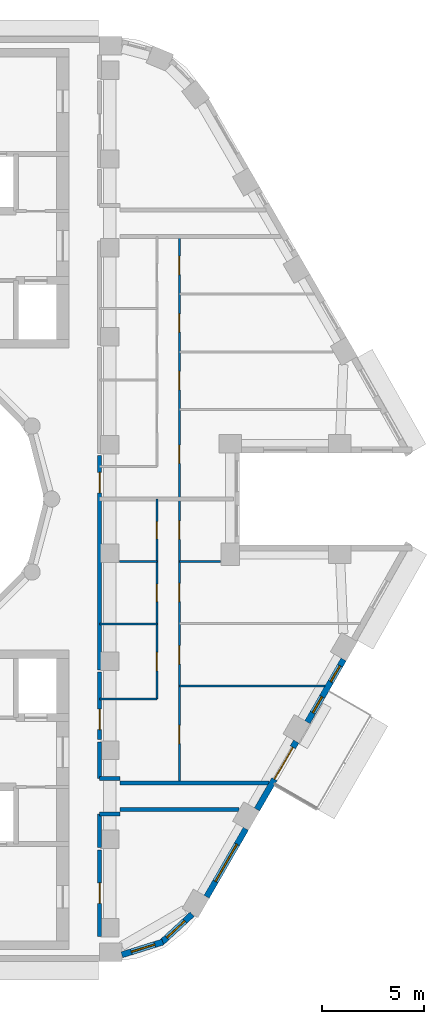
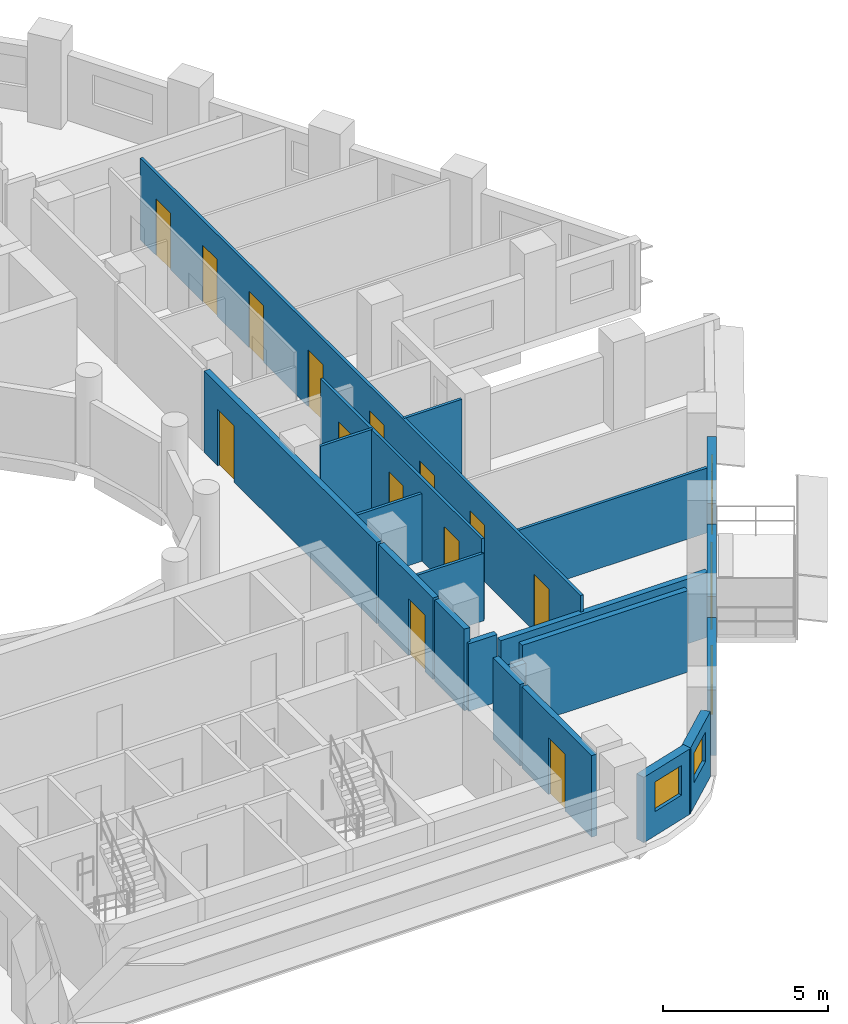
# One storey, part 5 of 12: 21 walls, 15 doors, 5 windows, 20 openings.
"""IFC4 building model written with IfcOpenShell, lengths in metres."""

from ifc_helpers import new_model, si_unit, direction, frame, frame_2d, origin, place, context, subcontext, project, spatial, rectangle, extrude, material, layer, layer_set, type_object, element, fill, save


model = new_model("IFC4")

# Units and contexts
model_context = context("Model", 3, precision=1e-05, world=origin(), true_north=direction((0.0, 1.0)))
body_context = subcontext(model_context, "Body", "Model", "MODEL_VIEW")
ifc_project = project(units=[si_unit("LENGTHUNIT", "METRE"), si_unit("AREAUNIT", "SQUARE_METRE"), si_unit("VOLUMEUNIT", "CUBIC_METRE"), si_unit("PLANEANGLEUNIT", "RADIAN"), si_unit("MASSUNIT", "GRAM", prefix="KILO")], contexts=[model_context])

# Site, building, storey
site_placement = place(None, origin())
site = spatial("IfcSite", under=ifc_project, at=site_placement, CompositionType="ELEMENT")
building_placement = place(site_placement, origin())
building = spatial("IfcBuilding", under=site, at=building_placement, Name="Nakaniwa Court", CompositionType="ELEMENT")
storey_placement = place(building_placement, frame((0.0, 0.0, 232.800048828125)))
storey = spatial("IfcBuildingStorey", under=building, at=storey_placement, Name="L60", CompositionType="ELEMENT", Elevation=232.800048828125)

# Wall, opening, door
ifc_material_1 = material(Name="Acoustic double stud partition")
ifc_layer_1 = layer(ifc_material_1, 0.199951171875)
ifc_layer_set_1 = layer_set([ifc_layer_1], Name="Acoustic double stud partition")
wall_type_1 = type_object("IfcWallType", Name="Acoustic double stud partition 200", PredefinedType="PARTITIONING", material=ifc_layer_set_1)
wall_1_placement = place(storey_placement, frame((89.5, 62.822998046875, 0.0), z_axis=(0.0, 0.0, 1.0), x_axis=(0.0, -1.0, 0.0)))
wall_1 = element("IfcWall", 1, at=wall_1_placement, inside=storey, type_object=wall_type_1, Name="Partition PW-057", PredefinedType="PARTITIONING", context=body_context, shape_type="SweptSolid", body=[
    extrude(rectangle(XDim=4.236083984375, YDim=0.199951171875, at=frame_2d((2.1181640625, 0.0))), origin(), (0.0, 0.0, 1.0), 3.02490234375),
])
opening_1_placement = place(wall_1_placement, frame((1.617919921875, 0.0, 0.0)))
opening_1 = element("IfcOpeningElement", 2, at=opening_1_placement, cuts=wall_1, Name="Opening D-02-01", PredefinedType="OPENING", context=body_context, shape_type="SweptSolid", body=[
    extrude(rectangle(XDim=1.0, YDim=2.10009765625, at=frame_2d((0.5, 1.050048828125))), frame((0.0, 0.10986328125, 0.0), z_axis=(0.0, -1.0, 0.0), x_axis=(1.0, 0.0, 0.0)), (0.0, 0.0, 1.0), 0.219970703125),
])
ifc_material_2 = material(Name="Solid core timber door set, black veneer", Category="wood")
door_type_1 = type_object("IfcDoorType", Name="Internal door 1000", OperationType="NOTDEFINED", PredefinedType="DOOR", material=ifc_material_2)
door_1_placement = place(opening_1_placement, origin())
door_1 = element("IfcDoor", 3, at=door_1_placement, inside=storey, type_object=door_type_1, Name="Door D-02-01 L60-029", OperationType="SINGLE_SWING_RIGHT", OverallHeight=2.10009765625, OverallWidth=1.0, PredefinedType="DOOR", context=body_context, shape_type="SweptSolid", body=[
    extrude(rectangle(XDim=1.0, YDim=2.10009765625, at=frame_2d((0.5, 1.050048828125))), frame((0.0, 0.02490234375, 0.0), z_axis=(0.0, -1.0, 0.0), x_axis=(1.0, 0.0, 0.0)), (0.0, 0.0, 1.0), 0.050048828125),
])
fill(opening_1, door_1)

# Walls
wall_2_placement = place(storey_placement, frame((89.5, 62.93701171875, 0.0), z_axis=(0.0, 0.0, 1.0), x_axis=(0.0, 1.0, 0.0)))
element("IfcWall", 4, at=wall_2_placement, inside=storey, type_object=wall_type_1, Name="Partition PW-058", PredefinedType="PARTITIONING", context=body_context, shape_type="SweptSolid", body=[
    extrude(rectangle(XDim=1.640869140625, YDim=0.199951171875, at=frame_2d((0.8203125, 0.0))), origin(), (0.0, 0.0, 1.0), 3.02490234375),
])
wall_3_placement = place(storey_placement, frame((89.5, 66.322021484375, 0.0), z_axis=(0.0, 0.0, 1.0), x_axis=(0.0, 1.0, 0.0)))
element("IfcWall", 5, at=wall_3_placement, inside=storey, type_object=wall_type_1, Name="Partition PW-059", PredefinedType="PARTITIONING", context=body_context, shape_type="SweptSolid", body=[
    extrude(rectangle(XDim=1.791015625, YDim=0.199951171875, at=frame_2d((0.8955078125, 0.0))), origin(), (0.0, 0.0, 1.0), 3.02490234375),
])

# Wall, opening, door
wall_4_placement = place(storey_placement, frame((89.5, 71.52294921875, 0.0), z_axis=(0.0, 0.0, 1.0), x_axis=(0.0, -1.0, 0.0)))
wall_4 = element("IfcWall", 6, at=wall_4_placement, inside=storey, type_object=wall_type_1, Name="Partition PW-060", PredefinedType="PARTITIONING", context=body_context, shape_type="SweptSolid", body=[
    extrude(rectangle(XDim=3.2958984375, YDim=0.199951171875, at=frame_2d((1.64794921875, 0.0))), origin(), (0.0, 0.0, 1.0), 3.02490234375),
])
opening_2_placement = place(wall_4_placement, frame((1.80810546875, 0.0, 0.0)))
opening_2 = element("IfcOpeningElement", 7, at=opening_2_placement, cuts=wall_4, Name="Opening D-01-01", PredefinedType="OPENING", context=body_context, shape_type="SweptSolid", body=[
    extrude(rectangle(XDim=1.0, YDim=2.10009765625, at=frame_2d((0.5, 1.050048828125))), frame((0.0, 0.10986328125, 0.0), z_axis=(0.0, -1.0, 0.0), x_axis=(1.0, 0.0, 0.0)), (0.0, 0.0, 1.0), 0.219970703125),
])
door_type_2 = type_object("IfcDoorType", Name="Flat entrance door 1000", OperationType="NOTDEFINED", PredefinedType="DOOR", material=ifc_material_2)
door_2_placement = place(opening_2_placement, origin())
door_2 = element("IfcDoor", 8, at=door_2_placement, inside=storey, type_object=door_type_2, Name="Door D-01-01 L60-030", OperationType="SINGLE_SWING_LEFT", OverallHeight=2.10009765625, OverallWidth=1.0, PredefinedType="DOOR", context=body_context, shape_type="SweptSolid", body=[
    extrude(rectangle(XDim=1.0, YDim=2.10009765625, at=frame_2d((0.5, 1.050048828125))), frame((0.0, 0.02490234375, 0.0), z_axis=(0.0, -1.0, 0.0), x_axis=(1.0, 0.0, 0.0)), (0.0, 0.0, 1.0), 0.050048828125),
])
fill(opening_2, door_2)

wall_5_placement = place(storey_placement, frame((89.5, 82.123046875, 0.0), z_axis=(0.0, 0.0, 1.0), x_axis=(0.0, -1.0, 0.0)))
wall_5 = element("IfcWall", 9, at=wall_5_placement, inside=storey, type_object=wall_type_1, Name="Partition PW-061", PredefinedType="PARTITIONING", context=body_context, shape_type="SweptSolid", body=[
    extrude(rectangle(XDim=10.486083984375, YDim=0.199951171875, at=frame_2d((5.2431640625, 0.0))), origin(), (0.0, 0.0, 1.0), 3.02490234375),
])
opening_3_placement = place(wall_5_placement, frame((0.822998046875, 0.0, 0.0)))
opening_3 = element("IfcOpeningElement", 10, at=opening_3_placement, cuts=wall_5, Name="Opening D-01-02", PredefinedType="OPENING", context=body_context, shape_type="SweptSolid", body=[
    extrude(rectangle(XDim=1.0, YDim=2.10009765625, at=frame_2d((0.5, 1.050048828125))), frame((0.0, 0.10986328125, 0.0), z_axis=(0.0, -1.0, 0.0), x_axis=(1.0, 0.0, 0.0)), (0.0, 0.0, 1.0), 0.219970703125),
])
door_3_placement = place(opening_3_placement, origin())
door_3 = element("IfcDoor", 11, at=door_3_placement, inside=storey, type_object=door_type_2, Name="Door D-01-02 L60-038", OperationType="SINGLE_SWING_LEFT", OverallHeight=2.10009765625, OverallWidth=1.0, PredefinedType="DOOR", context=body_context, shape_type="SweptSolid", body=[
    extrude(rectangle(XDim=1.0, YDim=2.10009765625, at=frame_2d((0.5, 1.050048828125))), frame((0.0, 0.02490234375, 0.0), z_axis=(0.0, -1.0, 0.0), x_axis=(1.0, 0.0, 0.0)), (0.0, 0.0, 1.0), 0.050048828125),
])
fill(opening_3, door_3)

# Walls
wall_6_placement = place(storey_placement, frame((90.5, 64.800048828125, 0.0), z_axis=(0.0, 0.0, 1.0), x_axis=(1.0, 0.0, 0.0)))
element("IfcWall", 12, at=wall_6_placement, inside=storey, type_object=wall_type_1, Name="Partition PW-074", PredefinedType="PARTITIONING", context=body_context, shape_type="SweptSolid", body=[
    extrude(rectangle(XDim=5.81884765625, YDim=0.199951171875, at=frame_2d((2.909423828125, 0.0))), origin(), (0.0, 0.0, 1.0), 3.02490234375),
])
for number, where, z_axis, x_axis, name in (
    (13, (89.5, 64.574951171875, 0.0), (0.0, 0.0, 1.0), (1.0, 0.0, 0.0), "Partition PW-076"),
    (14, (89.5, 66.324951171875, 0.0), (0.0, 0.0, 1.0), (1.0, 0.0, 0.0), "Partition PW-078"),
):
    element("IfcWall", number, at=place(storey_placement, frame(where, z_axis=z_axis, x_axis=x_axis)), inside=storey, type_object=wall_type_1, Name=name, PredefinedType="PARTITIONING", context=body_context, shape_type="SweptSolid", body=[
        extrude(rectangle(XDim=1.0, YDim=0.199951171875, at=frame_2d((0.5, 0.0))), origin(), (0.0, 0.0, 1.0), 2.5048828125),
    ])
wall_7_placement = place(storey_placement, frame((90.5, 66.10009765625, 0.0), z_axis=(0.0, 0.0, 1.0), x_axis=(1.0, 0.0, 0.0)))
element("IfcWall", 15, at=wall_7_placement, inside=storey, type_object=wall_type_1, Name="Partition PW-080", PredefinedType="PARTITIONING", context=body_context, shape_type="SweptSolid", body=[
    extrude(rectangle(XDim=7.282470703125, YDim=0.199951171875, at=frame_2d((3.64111328125, 0.0))), origin(), (0.0, 0.0, 1.0), 2.405029296875),
])

# Wall, opening, window
ifc_material_3 = material(Name="Charcoal ceramic cladding")
ifc_layer_2 = layer(ifc_material_3, 0.02, Name="Ceramic cladding")
ifc_material_4 = material(Name="Ventilated air cavity")
ifc_layer_3 = layer(ifc_material_4, 0.04, ventilated=True, Name="Ventilated cavity")
ifc_material_5 = material(Name="Mineral wool insulation")
ifc_layer_4 = layer(ifc_material_5, 0.1, Name="Insulation")
ifc_material_6 = material(Name="Cement bonded sheathing board")
ifc_layer_5 = layer(ifc_material_6, 0.012, Name="Sheathing")
ifc_material_7 = material(Name="Cold-formed galvanised stud frame with mineral wool infill")
ifc_layer_6 = layer(ifc_material_7, 0.1, Name="Stud frame")
ifc_material_8 = material(Name="Fire-rated gypsum plasterboard lining")
ifc_layer_7 = layer(ifc_material_8, 0.028, Name="Lining")
ifc_layer_set_2 = layer_set([ifc_layer_2, ifc_layer_3, ifc_layer_4, ifc_layer_5, ifc_layer_6, ifc_layer_7], Name="Charcoal ceramic faced external wall system")
wall_type_2 = type_object("IfcWallType", Name="Black ceramic faced external wall 300", PredefinedType="SOLIDWALL", material=ifc_layer_set_2)
wall_8_placement = place(storey_placement, frame((90.585693359375, 57.68408203125, 0.0), z_axis=(0.0, 0.0, 1.0), x_axis=(0.954941641926, 0.296793632875, 0.0)))
wall_8 = element("IfcWall", 16, at=wall_8_placement, inside=storey, type_object=wall_type_2, Name="L60 external wall 27", PredefinedType="SOLIDWALL", context=body_context, shape_type="SweptSolid", body=[
    extrude(rectangle(XDim=2.1025390625, YDim=0.300048828125, at=frame_2d((1.05126953125, 0.0))), origin(), (0.0, 0.0, 1.0), 2.425048828125),
])
opening_4_placement = place(wall_8_placement, frame((0.490234375, 0.0, 0.89990234375)))
opening_4 = element("IfcOpeningElement", 17, at=opening_4_placement, cuts=wall_8, Name="Opening W6.25", PredefinedType="OPENING", context=body_context, shape_type="SweptSolid", body=[
    extrude(rectangle(XDim=1.199951171875, YDim=1.10009765625, at=frame_2d((0.60009765625, 0.550048828125))), frame((0.0, 0.159912109375, 0.0), z_axis=(0.0, -1.0, 0.0), x_axis=(1.0, 0.0, 0.0)), (0.0, 0.0, 1.0), 0.320068359375),
])
ifc_material_9 = material(Name="Black anodised aluminium frame with dark low-E laminated double glazing", Category="aluminium")
window_type_1 = type_object("IfcWindowType", Name="Dark glass window 1200x1100 sill 900", PartitioningType="SINGLE_PANEL", PredefinedType="WINDOW", material=ifc_material_9)
window_1_placement = place(opening_4_placement, origin())
window_1 = element("IfcWindow", 18, at=window_1_placement, inside=storey, type_object=window_type_1, Name="L60 habitable room window 27-0", OverallHeight=1.10009765625, OverallWidth=1.199951171875, PartitioningType="SINGLE_PANEL", PredefinedType="WINDOW", context=body_context, shape_type="SweptSolid", body=[
    extrude(rectangle(XDim=1.199951171875, YDim=1.10009765625, at=frame_2d((0.60009765625, 0.550048828125))), frame((0.0, 0.030029296875, 0.0), z_axis=(0.0, -1.0, 0.0), x_axis=(1.0, 0.0, 0.0)), (0.0, 0.0, 1.0), 0.06005859375),
])
fill(opening_4, window_1)

wall_9_placement = place(storey_placement, frame((92.489501953125, 58.247314453125, 0.0), z_axis=(0.0, 0.0, 1.0), x_axis=(0.734830223907, 0.678251090698, 0.0)))
wall_9 = element("IfcWall", 19, at=wall_9_placement, inside=storey, type_object=wall_type_2, Name="L60 external wall 28", PredefinedType="SOLIDWALL", context=body_context, shape_type="SweptSolid", body=[
    extrude(rectangle(XDim=2.09716796875, YDim=0.300048828125, at=frame_2d((1.048583984375, 0.0))), origin(), (0.0, 0.0, 1.0), 2.425048828125),
])
opening_5_placement = place(wall_9_placement, frame((0.409423828125, 0.0, 0.89990234375)))
opening_5 = element("IfcOpeningElement", 20, at=opening_5_placement, cuts=wall_9, Name="Opening W6.26", PredefinedType="OPENING", context=body_context, shape_type="SweptSolid", body=[
    extrude(rectangle(XDim=1.199951171875, YDim=1.10009765625, at=frame_2d((0.60009765625, 0.550048828125))), frame((0.0, 0.159912109375, 0.0), z_axis=(0.0, -1.0, 0.0), x_axis=(1.0, 0.0, 0.0)), (0.0, 0.0, 1.0), 0.320068359375),
])
window_2_placement = place(opening_5_placement, origin())
window_2 = element("IfcWindow", 21, at=window_2_placement, inside=storey, type_object=window_type_1, Name="L60 habitable room window 28-0", OverallHeight=1.10009765625, OverallWidth=1.199951171875, PartitioningType="SINGLE_PANEL", PredefinedType="WINDOW", context=body_context, shape_type="SweptSolid", body=[
    extrude(rectangle(XDim=1.199951171875, YDim=1.10009765625, at=frame_2d((0.60009765625, 0.550048828125))), frame((0.0, 0.030029296875, 0.0), z_axis=(0.0, -1.0, 0.0), x_axis=(1.0, 0.0, 0.0)), (0.0, 0.0, 1.0), 0.06005859375),
])
fill(opening_5, window_2)

wall_10_placement = place(storey_placement, frame((94.73583984375, 60.523193359375, 0.0), z_axis=(0.0, 0.0, 1.0), x_axis=(0.499984490703, 0.866034357896, 0.0)))
wall_10 = element("IfcWall", 22, at=wall_10_placement, inside=storey, type_object=wall_type_2, Name="L60 external wall 29", PredefinedType="SOLIDWALL", context=body_context, shape_type="SweptSolid", body=[
    extrude(rectangle(XDim=3.84423828125, YDim=0.300048828125, at=frame_2d((1.922119140625, 0.0))), origin(), (0.0, 0.0, 1.0), 2.425048828125),
])
opening_6_placement = place(wall_10_placement, frame((0.8720703125, 0.0, 0.89990234375)))
opening_6 = element("IfcOpeningElement", 23, at=opening_6_placement, cuts=wall_10, Name="Opening W7.27", PredefinedType="OPENING", context=body_context, shape_type="SweptSolid", body=[
    extrude(rectangle(XDim=2.10009765625, YDim=1.10009765625, at=frame_2d((1.050048828125, 0.550048828125))), frame((0.0, 0.159912109375, 0.0), z_axis=(0.0, -1.0, 0.0), x_axis=(1.0, 0.0, 0.0)), (0.0, 0.0, 1.0), 0.320068359375),
])
window_type_2 = type_object("IfcWindowType", Name="Dark glass window 2100x1100 sill 900", PartitioningType="SINGLE_PANEL", PredefinedType="WINDOW", material=ifc_material_9)
window_3_placement = place(opening_6_placement, origin())
window_3 = element("IfcWindow", 24, at=window_3_placement, inside=storey, type_object=window_type_2, Name="L60 habitable room window 29-0", OverallHeight=1.10009765625, OverallWidth=2.10009765625, PartitioningType="SINGLE_PANEL", PredefinedType="WINDOW", context=body_context, shape_type="SweptSolid", body=[
    extrude(rectangle(XDim=2.10009765625, YDim=1.10009765625, at=frame_2d((1.050048828125, 0.550048828125))), frame((0.0, 0.030029296875, 0.0), z_axis=(0.0, -1.0, 0.0), x_axis=(1.0, 0.0, 0.0)), (0.0, 0.0, 1.0), 0.06005859375),
])
fill(opening_6, window_3)

# Wall, opening, door
wall_11_placement = place(storey_placement, frame((97.2041015625, 64.798095703125, 0.0), z_axis=(0.0, 0.0, 1.0), x_axis=(0.499984490703, 0.866034357896, 0.0)))
wall_11 = element("IfcWall", 25, at=wall_11_placement, inside=storey, type_object=wall_type_2, Name="L60 external wall 30", PredefinedType="SOLIDWALL", context=body_context, shape_type="SweptSolid", body=[
    extrude(rectangle(XDim=3.84423828125, YDim=0.300048828125, at=frame_2d((1.922119140625, 0.0))), origin(), (0.0, 0.0, 1.0), 2.425048828125),
])
opening_7_placement = place(wall_11_placement, frame((1.712646484375, 0.0, 0.0)))
opening_7 = element("IfcOpeningElement", 26, at=opening_7_placement, cuts=wall_11, Name="Opening XD12.01", PredefinedType="OPENING", context=body_context, shape_type="SweptSolid", body=[
    extrude(rectangle(XDim=1.800048828125, YDim=2.0, at=frame_2d((0.89990234375, 1.0))), frame((0.0, 0.159912109375, 0.0), z_axis=(0.0, -1.0, 0.0), x_axis=(1.0, 0.0, 0.0)), (0.0, 0.0, 1.0), 0.320068359375),
])
ifc_material_10 = material(Name="Black powder-coated aluminium frame with dark laminated glass", Category="aluminium")
door_type_3 = type_object("IfcDoorType", Name="Balcony sliding door 1800x2000", OperationType="SLIDING_TO_LEFT", PredefinedType="DOOR", material=ifc_material_10)
door_4_placement = place(opening_7_placement, origin())
door_4 = element("IfcDoor", 27, at=door_4_placement, inside=storey, type_object=door_type_3, Name="L60 balcony sliding door 01", OperationType="SLIDING_TO_LEFT", OverallHeight=2.0, OverallWidth=1.800048828125, PredefinedType="DOOR", context=body_context, shape_type="SweptSolid", body=[
    extrude(rectangle(XDim=1.800048828125, YDim=2.0, at=frame_2d((0.89990234375, 1.0))), frame((0.0, 0.02490234375, 0.0), z_axis=(0.0, -1.0, 0.0), x_axis=(1.0, 0.0, 0.0)), (0.0, 0.0, 1.0), 0.050048828125),
])
fill(opening_7, door_4)

# Wall, openings, windows
wall_12_placement = place(storey_placement, frame((99.672119140625, 69.072998046875, 0.0), z_axis=(0.0, 0.0, 1.0), x_axis=(0.500010404316, 0.866019396766, 0.0)))
wall_12 = element("IfcWall", 28, at=wall_12_placement, inside=storey, type_object=wall_type_2, Name="L60 external wall 31", PredefinedType="SOLIDWALL", context=body_context, shape_type="SweptSolid", body=[
    extrude(rectangle(XDim=3.54736328125, YDim=0.300048828125, at=frame_2d((1.773681640625, 0.0))), origin(), (0.0, 0.0, 1.0), 2.425048828125),
])
opening_8_placement = place(wall_12_placement, frame((0.53662109375, 0.0, 0.89990234375)))
opening_8 = element("IfcOpeningElement", 29, at=opening_8_placement, cuts=wall_12, Name="Opening W9.28", PredefinedType="OPENING", context=body_context, shape_type="SweptSolid", body=[
    extrude(rectangle(XDim=0.89990234375, YDim=1.10009765625, at=frame_2d((0.449951171875, 0.550048828125))), frame((0.0, 0.159912109375, 0.0), z_axis=(0.0, -1.0, 0.0), x_axis=(1.0, 0.0, 0.0)), (0.0, 0.0, 1.0), 0.320068359375),
])
opening_9_placement = place(wall_12_placement, frame((2.2861328125, 0.0, 0.89990234375)))
opening_9 = element("IfcOpeningElement", 30, at=opening_9_placement, cuts=wall_12, Name="Opening W9.29", PredefinedType="OPENING", context=body_context, shape_type="SweptSolid", body=[
    extrude(rectangle(XDim=0.89990234375, YDim=1.10009765625, at=frame_2d((0.449951171875, 0.550048828125))), frame((0.0, 0.159912109375, 0.0), z_axis=(0.0, -1.0, 0.0), x_axis=(1.0, 0.0, 0.0)), (0.0, 0.0, 1.0), 0.320068359375),
])
window_type_3 = type_object("IfcWindowType", Name="Dark glass window 900x1100 sill 900", PartitioningType="SINGLE_PANEL", PredefinedType="WINDOW", material=ifc_material_9)
window_4_placement = place(opening_8_placement, origin())
window_4 = element("IfcWindow", 31, at=window_4_placement, inside=storey, type_object=window_type_3, Name="L60 living window 31-0", OverallHeight=1.10009765625, OverallWidth=0.89990234375, PartitioningType="SINGLE_PANEL", PredefinedType="WINDOW", context=body_context, shape_type="SweptSolid", body=[
    extrude(rectangle(XDim=0.89990234375, YDim=1.10009765625, at=frame_2d((0.449951171875, 0.550048828125))), frame((0.0, 0.030029296875, 0.0), z_axis=(0.0, -1.0, 0.0), x_axis=(1.0, 0.0, 0.0)), (0.0, 0.0, 1.0), 0.06005859375),
])
fill(opening_8, window_4)
window_5_placement = place(opening_9_placement, origin())
window_5 = element("IfcWindow", 32, at=window_5_placement, inside=storey, type_object=window_type_3, Name="L60 bedroom window 31-1", OverallHeight=1.10009765625, OverallWidth=0.89990234375, PartitioningType="SINGLE_PANEL", PredefinedType="WINDOW", context=body_context, shape_type="SweptSolid", body=[
    extrude(rectangle(XDim=0.89990234375, YDim=1.10009765625, at=frame_2d((0.449951171875, 0.550048828125))), frame((0.0, 0.030029296875, 0.0), z_axis=(0.0, -1.0, 0.0), x_axis=(1.0, 0.0, 0.0)), (0.0, 0.0, 1.0), 0.06005859375),
])
fill(opening_9, window_5)

# Wall
ifc_material_11 = material(Name="Single stud plasterboard partition")
ifc_layer_8 = layer(ifc_material_11, 0.10009765625)
ifc_layer_set_3 = layer_set([ifc_layer_8], Name="Single stud plasterboard partition")
wall_type_3 = type_object("IfcWallType", Name="Single stud plasterboard partition 100", PredefinedType="PARTITIONING", material=ifc_layer_set_3)
wall_13_placement = place(storey_placement, frame((89.5, 73.875, 0.0), z_axis=(0.0, 0.0, 1.0), x_axis=(1.0, 0.0, 0.0)))
element("IfcWall", 33, at=wall_13_placement, inside=storey, type_object=wall_type_3, Name="Partition PW-090", PredefinedType="PARTITIONING", context=body_context, shape_type="SweptSolid", body=[
    extrude(rectangle(XDim=2.800048828125, YDim=0.10009765625, at=frame_2d((1.39990234375, 0.0))), origin(), (0.0, 0.0, 1.0), 2.5048828125),
])

# Wall, openings, doors
wall_14_placement = place(storey_placement, frame((92.300048828125, 70.199951171875, 0.0), z_axis=(0.0, 0.0, 1.0), x_axis=(0.0, 1.0, 0.0)))
wall_14 = element("IfcWall", 34, at=wall_14_placement, inside=storey, type_object=wall_type_3, Name="Partition PW-091", PredefinedType="PARTITIONING", context=body_context, shape_type="SweptSolid", body=[
    extrude(rectangle(XDim=9.800048828125, YDim=0.10009765625, at=frame_2d((4.89990234375, 0.0))), origin(), (0.0, 0.0, 1.0), 3.02490234375),
])
opening_10_placement = place(wall_14_placement, frame((1.387939453125, 0.0, 0.0)))
opening_10 = element("IfcOpeningElement", 35, at=opening_10_placement, cuts=wall_14, Name="Opening D-33-01", PredefinedType="OPENING", context=body_context, shape_type="SweptSolid", body=[
    extrude(rectangle(XDim=0.89990234375, YDim=2.10009765625, at=frame_2d((0.449951171875, 1.050048828125))), frame((0.0, 0.06005859375, 0.0), z_axis=(0.0, -1.0, 0.0), x_axis=(1.0, 0.0, 0.0)), (0.0, 0.0, 1.0), 0.1201171875),
])
opening_11_placement = place(wall_14_placement, frame((4.781005859375, 0.0, 0.0)))
opening_11 = element("IfcOpeningElement", 36, at=opening_11_placement, cuts=wall_14, Name="Opening D-03-01", PredefinedType="OPENING", context=body_context, shape_type="SweptSolid", body=[
    extrude(rectangle(XDim=0.85009765625, YDim=2.10009765625, at=frame_2d((0.425048828125, 1.050048828125))), frame((0.0, 0.06005859375, 0.0), z_axis=(0.0, -1.0, 0.0), x_axis=(1.0, 0.0, 0.0)), (0.0, 0.0, 1.0), 0.1201171875),
])
opening_12_placement = place(wall_14_placement, frame((7.843994140625, 0.0, 0.0)))
opening_12 = element("IfcOpeningElement", 37, at=opening_12_placement, cuts=wall_14, Name="Opening D-03-02", PredefinedType="OPENING", context=body_context, shape_type="SweptSolid", body=[
    extrude(rectangle(XDim=0.85009765625, YDim=2.10009765625, at=frame_2d((0.425048828125, 1.050048828125))), frame((0.0, 0.06005859375, 0.0), z_axis=(0.0, -1.0, 0.0), x_axis=(1.0, 0.0, 0.0)), (0.0, 0.0, 1.0), 0.1201171875),
])
ifc_material_12 = material(Name="Moisture sealed timber door set", Category="wood")
door_type_4 = type_object("IfcDoorType", Name="Bathroom door 850", OperationType="NOTDEFINED", PredefinedType="DOOR", material=ifc_material_12)
door_5_placement = place(opening_11_placement, origin())
door_5 = element("IfcDoor", 38, at=door_5_placement, inside=storey, type_object=door_type_4, Name="Door D-03-01 L60-032", OperationType="SINGLE_SWING_LEFT", OverallHeight=2.10009765625, OverallWidth=0.85009765625, PredefinedType="DOOR", context=body_context, shape_type="SweptSolid", body=[
    extrude(rectangle(XDim=0.85009765625, YDim=2.10009765625, at=frame_2d((0.425048828125, 1.050048828125))), frame((0.0, 0.02490234375, 0.0), z_axis=(0.0, -1.0, 0.0), x_axis=(1.0, 0.0, 0.0)), (0.0, 0.0, 1.0), 0.050048828125),
])
fill(opening_11, door_5)
door_6_placement = place(opening_12_placement, origin())
door_6 = element("IfcDoor", 39, at=door_6_placement, inside=storey, type_object=door_type_4, Name="Door D-03-02 L60-033", OperationType="SINGLE_SWING_RIGHT", OverallHeight=2.10009765625, OverallWidth=0.85009765625, PredefinedType="DOOR", context=body_context, shape_type="SweptSolid", body=[
    extrude(rectangle(XDim=0.85009765625, YDim=2.10009765625, at=frame_2d((0.425048828125, 1.050048828125))), frame((0.0, 0.02490234375, 0.0), z_axis=(0.0, -1.0, 0.0), x_axis=(1.0, 0.0, 0.0)), (0.0, 0.0, 1.0), 0.050048828125),
])
fill(opening_12, door_6)
door_type_5 = type_object("IfcDoorType", Name="Internal door 900", OperationType="NOTDEFINED", PredefinedType="DOOR", material=ifc_material_2)
door_7_placement = place(opening_10_placement, origin())
door_7 = element("IfcDoor", 40, at=door_7_placement, inside=storey, type_object=door_type_5, Name="Door D-33-01 L60-031", OperationType="SINGLE_SWING_RIGHT", OverallHeight=2.10009765625, OverallWidth=0.89990234375, PredefinedType="DOOR", context=body_context, shape_type="SweptSolid", body=[
    extrude(rectangle(XDim=0.89990234375, YDim=2.10009765625, at=frame_2d((0.449951171875, 1.050048828125))), frame((0.0, 0.02490234375, 0.0), z_axis=(0.0, -1.0, 0.0), x_axis=(1.0, 0.0, 0.0)), (0.0, 0.0, 1.0), 0.050048828125),
])
fill(opening_10, door_7)

# Walls
wall_15_placement = place(storey_placement, frame((89.5, 70.199951171875, 0.0), z_axis=(0.0, 0.0, 1.0), x_axis=(1.0, 0.0, 0.0)))
element("IfcWall", 41, at=wall_15_placement, inside=storey, type_object=wall_type_3, Name="Partition PW-093", PredefinedType="PARTITIONING", context=body_context, shape_type="SweptSolid", body=[
    extrude(rectangle(XDim=2.800048828125, YDim=0.10009765625, at=frame_2d((1.39990234375, 0.0))), origin(), (0.0, 0.0, 1.0), 2.5048828125),
])
wall_16_placement = place(storey_placement, frame((90.469970703125, 76.93798828125, 0.0), z_axis=(0.0, 0.0, 1.0), x_axis=(1.0, 0.0, 0.0)))
element("IfcWall", 42, at=wall_16_placement, inside=storey, type_object=wall_type_3, Name="Partition PW-094", PredefinedType="PARTITIONING", context=body_context, shape_type="SweptSolid", body=[
    extrude(rectangle(XDim=1.830078125, YDim=0.10009765625, at=frame_2d((0.9150390625, 0.0))), origin(), (0.0, 0.0, 1.0), 3.02490234375),
])

# Wall, openings, doors
wall_17_placement = place(storey_placement, frame((93.39990234375, 92.85009765625, 0.0), z_axis=(0.0, 0.0, 1.0), x_axis=(0.0, -1.0, 0.0)))
wall_17 = element("IfcWall", 43, at=wall_17_placement, inside=storey, type_object=wall_type_3, Name="Partition PW-096", PredefinedType="PARTITIONING", context=body_context, shape_type="SweptSolid", body=[
    extrude(rectangle(XDim=26.75, YDim=0.10009765625, at=frame_2d((13.375, 0.0))), origin(), (0.0, 0.0, 1.0), 3.02490234375),
])
opening_13_placement = place(wall_17_placement, frame((23.927001953125, 0.0, 0.0)))
opening_13 = element("IfcOpeningElement", 44, at=opening_13_placement, cuts=wall_17, Name="Opening D-33-02", PredefinedType="OPENING", context=body_context, shape_type="SweptSolid", body=[
    extrude(rectangle(XDim=0.89990234375, YDim=2.10009765625, at=frame_2d((0.449951171875, 1.050048828125))), frame((0.0, 0.06005859375, 0.0), z_axis=(0.0, -1.0, 0.0), x_axis=(1.0, 0.0, 0.0)), (0.0, 0.0, 1.0), 0.1201171875),
])
opening_14_placement = place(wall_17_placement, frame((20.028076171875, 0.0, 0.0)))
opening_14 = element("IfcOpeningElement", 45, at=opening_14_placement, cuts=wall_17, Name="Opening D-33-03", PredefinedType="OPENING", context=body_context, shape_type="SweptSolid", body=[
    extrude(rectangle(XDim=0.89990234375, YDim=2.10009765625, at=frame_2d((0.449951171875, 1.050048828125))), frame((0.0, 0.06005859375, 0.0), z_axis=(0.0, -1.0, 0.0), x_axis=(1.0, 0.0, 0.0)), (0.0, 0.0, 1.0), 0.1201171875),
])
opening_15_placement = place(wall_17_placement, frame((16.97705078125, 0.0, 0.0)))
opening_15 = element("IfcOpeningElement", 46, at=opening_15_placement, cuts=wall_17, Name="Opening D-33-04", PredefinedType="OPENING", context=body_context, shape_type="SweptSolid", body=[
    extrude(rectangle(XDim=0.89990234375, YDim=2.10009765625, at=frame_2d((0.449951171875, 1.050048828125))), frame((0.0, 0.06005859375, 0.0), z_axis=(0.0, -1.0, 0.0), x_axis=(1.0, 0.0, 0.0)), (0.0, 0.0, 1.0), 0.1201171875),
])
opening_16_placement = place(wall_17_placement, frame((13.926025390625, 0.0, 0.0)))
opening_16 = element("IfcOpeningElement", 47, at=opening_16_placement, cuts=wall_17, Name="Opening D-33-05", PredefinedType="OPENING", context=body_context, shape_type="SweptSolid", body=[
    extrude(rectangle(XDim=0.89990234375, YDim=2.10009765625, at=frame_2d((0.449951171875, 1.050048828125))), frame((0.0, 0.06005859375, 0.0), z_axis=(0.0, -1.0, 0.0), x_axis=(1.0, 0.0, 0.0)), (0.0, 0.0, 1.0), 0.1201171875),
])
opening_17_placement = place(wall_17_placement, frame((10.2060546875, 0.0, 0.0)))
opening_17 = element("IfcOpeningElement", 48, at=opening_17_placement, cuts=wall_17, Name="Opening D-33-07", PredefinedType="OPENING", context=body_context, shape_type="SweptSolid", body=[
    extrude(rectangle(XDim=0.89990234375, YDim=2.10009765625, at=frame_2d((0.449951171875, 1.050048828125))), frame((0.0, 0.06005859375, 0.0), z_axis=(0.0, -1.0, 0.0), x_axis=(1.0, 0.0, 0.0)), (0.0, 0.0, 1.0), 0.1201171875),
])
opening_18_placement = place(wall_17_placement, frame((6.60205078125, 0.0, 0.0)))
opening_18 = element("IfcOpeningElement", 49, at=opening_18_placement, cuts=wall_17, Name="Opening D-33-08", PredefinedType="OPENING", context=body_context, shape_type="SweptSolid", body=[
    extrude(rectangle(XDim=0.89990234375, YDim=2.10009765625, at=frame_2d((0.449951171875, 1.050048828125))), frame((0.0, 0.06005859375, 0.0), z_axis=(0.0, -1.0, 0.0), x_axis=(1.0, 0.0, 0.0)), (0.0, 0.0, 1.0), 0.1201171875),
])
opening_19_placement = place(wall_17_placement, frame((3.781005859375, 0.0, 0.0)))
opening_19 = element("IfcOpeningElement", 50, at=opening_19_placement, cuts=wall_17, Name="Opening D-33-09", PredefinedType="OPENING", context=body_context, shape_type="SweptSolid", body=[
    extrude(rectangle(XDim=0.89990234375, YDim=2.10009765625, at=frame_2d((0.449951171875, 1.050048828125))), frame((0.0, 0.06005859375, 0.0), z_axis=(0.0, -1.0, 0.0), x_axis=(1.0, 0.0, 0.0)), (0.0, 0.0, 1.0), 0.1201171875),
])
opening_20_placement = place(wall_17_placement, frame((0.9599609375, 0.0, 0.0)))
opening_20 = element("IfcOpeningElement", 51, at=opening_20_placement, cuts=wall_17, Name="Opening D-33-10", PredefinedType="OPENING", context=body_context, shape_type="SweptSolid", body=[
    extrude(rectangle(XDim=0.89990234375, YDim=2.10009765625, at=frame_2d((0.449951171875, 1.050048828125))), frame((0.0, 0.06005859375, 0.0), z_axis=(0.0, -1.0, 0.0), x_axis=(1.0, 0.0, 0.0)), (0.0, 0.0, 1.0), 0.1201171875),
])
door_8_placement = place(opening_13_placement, origin())
door_8 = element("IfcDoor", 52, at=door_8_placement, inside=storey, type_object=door_type_5, Name="Door D-33-02 L60-034", OperationType="SINGLE_SWING_LEFT", OverallHeight=2.10009765625, OverallWidth=0.89990234375, PredefinedType="DOOR", context=body_context, shape_type="SweptSolid", body=[
    extrude(rectangle(XDim=0.89990234375, YDim=2.10009765625, at=frame_2d((0.449951171875, 1.050048828125))), frame((0.0, 0.02490234375, 0.0), z_axis=(0.0, -1.0, 0.0), x_axis=(1.0, 0.0, 0.0)), (0.0, 0.0, 1.0), 0.050048828125),
])
fill(opening_13, door_8)
door_9_placement = place(opening_14_placement, origin())
door_9 = element("IfcDoor", 53, at=door_9_placement, inside=storey, type_object=door_type_5, Name="Door D-33-03 L60-035", OperationType="SINGLE_SWING_RIGHT", OverallHeight=2.10009765625, OverallWidth=0.89990234375, PredefinedType="DOOR", context=body_context, shape_type="SweptSolid", body=[
    extrude(rectangle(XDim=0.89990234375, YDim=2.10009765625, at=frame_2d((0.449951171875, 1.050048828125))), frame((0.0, 0.02490234375, 0.0), z_axis=(0.0, -1.0, 0.0), x_axis=(1.0, 0.0, 0.0)), (0.0, 0.0, 1.0), 0.050048828125),
])
fill(opening_14, door_9)
door_10_placement = place(opening_15_placement, origin())
door_10 = element("IfcDoor", 54, at=door_10_placement, inside=storey, type_object=door_type_5, Name="Door D-33-04 L60-036", OperationType="SINGLE_SWING_LEFT", OverallHeight=2.10009765625, OverallWidth=0.89990234375, PredefinedType="DOOR", context=body_context, shape_type="SweptSolid", body=[
    extrude(rectangle(XDim=0.89990234375, YDim=2.10009765625, at=frame_2d((0.449951171875, 1.050048828125))), frame((0.0, 0.02490234375, 0.0), z_axis=(0.0, -1.0, 0.0), x_axis=(1.0, 0.0, 0.0)), (0.0, 0.0, 1.0), 0.050048828125),
])
fill(opening_15, door_10)
door_11_placement = place(opening_16_placement, origin())
door_11 = element("IfcDoor", 55, at=door_11_placement, inside=storey, type_object=door_type_5, Name="Door D-33-05 L60-037", OperationType="SINGLE_SWING_RIGHT", OverallHeight=2.10009765625, OverallWidth=0.89990234375, PredefinedType="DOOR", context=body_context, shape_type="SweptSolid", body=[
    extrude(rectangle(XDim=0.89990234375, YDim=2.10009765625, at=frame_2d((0.449951171875, 1.050048828125))), frame((0.0, 0.02490234375, 0.0), z_axis=(0.0, -1.0, 0.0), x_axis=(1.0, 0.0, 0.0)), (0.0, 0.0, 1.0), 0.050048828125),
])
fill(opening_16, door_11)
door_12_placement = place(opening_17_placement, origin())
door_12 = element("IfcDoor", 56, at=door_12_placement, inside=storey, type_object=door_type_5, Name="Door D-33-07 L60-042", OperationType="SINGLE_SWING_LEFT", OverallHeight=2.10009765625, OverallWidth=0.89990234375, PredefinedType="DOOR", context=body_context, shape_type="SweptSolid", body=[
    extrude(rectangle(XDim=0.89990234375, YDim=2.10009765625, at=frame_2d((0.449951171875, 1.050048828125))), frame((0.0, 0.02490234375, 0.0), z_axis=(0.0, -1.0, 0.0), x_axis=(1.0, 0.0, 0.0)), (0.0, 0.0, 1.0), 0.050048828125),
])
fill(opening_17, door_12)
door_13_placement = place(opening_18_placement, origin())
door_13 = element("IfcDoor", 57, at=door_13_placement, inside=storey, type_object=door_type_5, Name="Door D-33-08 L60-043", OperationType="SINGLE_SWING_RIGHT", OverallHeight=2.10009765625, OverallWidth=0.89990234375, PredefinedType="DOOR", context=body_context, shape_type="SweptSolid", body=[
    extrude(rectangle(XDim=0.89990234375, YDim=2.10009765625, at=frame_2d((0.449951171875, 1.050048828125))), frame((0.0, 0.02490234375, 0.0), z_axis=(0.0, -1.0, 0.0), x_axis=(1.0, 0.0, 0.0)), (0.0, 0.0, 1.0), 0.050048828125),
])
fill(opening_18, door_13)
door_14_placement = place(opening_19_placement, origin())
door_14 = element("IfcDoor", 58, at=door_14_placement, inside=storey, type_object=door_type_5, Name="Door D-33-09 L60-044", OperationType="SINGLE_SWING_LEFT", OverallHeight=2.10009765625, OverallWidth=0.89990234375, PredefinedType="DOOR", context=body_context, shape_type="SweptSolid", body=[
    extrude(rectangle(XDim=0.89990234375, YDim=2.10009765625, at=frame_2d((0.449951171875, 1.050048828125))), frame((0.0, 0.02490234375, 0.0), z_axis=(0.0, -1.0, 0.0), x_axis=(1.0, 0.0, 0.0)), (0.0, 0.0, 1.0), 0.050048828125),
])
fill(opening_19, door_14)
door_15_placement = place(opening_20_placement, origin())
door_15 = element("IfcDoor", 59, at=door_15_placement, inside=storey, type_object=door_type_5, Name="Door D-33-10 L60-045", OperationType="SINGLE_SWING_RIGHT", OverallHeight=2.10009765625, OverallWidth=0.89990234375, PredefinedType="DOOR", context=body_context, shape_type="SweptSolid", body=[
    extrude(rectangle(XDim=0.89990234375, YDim=2.10009765625, at=frame_2d((0.449951171875, 1.050048828125))), frame((0.0, 0.02490234375, 0.0), z_axis=(0.0, -1.0, 0.0), x_axis=(1.0, 0.0, 0.0)), (0.0, 0.0, 1.0), 0.050048828125),
])
fill(opening_20, door_15)

# Walls
wall_18_placement = place(storey_placement, frame((93.39990234375, 70.845947265625, 0.0), z_axis=(0.0, 0.0, 1.0), x_axis=(1.0, 0.0, 0.0)))
element("IfcWall", 60, at=wall_18_placement, inside=storey, type_object=wall_type_3, Name="Partition PW-097", PredefinedType="PARTITIONING", context=body_context, shape_type="SweptSolid", body=[
    extrude(rectangle(XDim=7.122802734375, YDim=0.10009765625, at=frame_2d((3.5615234375, 0.0))), origin(), (0.0, 0.0, 1.0), 2.405029296875),
])
wall_19_placement = place(storey_placement, frame((93.39990234375, 76.948974609375, 0.0), z_axis=(0.0, 0.0, 1.0), x_axis=(1.0, 0.0, 0.0)))
element("IfcWall", 61, at=wall_19_placement, inside=storey, type_object=wall_type_3, Name="Partition PW-099", PredefinedType="PARTITIONING", context=body_context, shape_type="SweptSolid", body=[
    extrude(rectangle(XDim=2.029541015625, YDim=0.10009765625, at=frame_2d((1.0146484375, 0.0))), origin(), (0.0, 0.0, 1.0), 3.02490234375),
])

save(model, "model.ifc")
